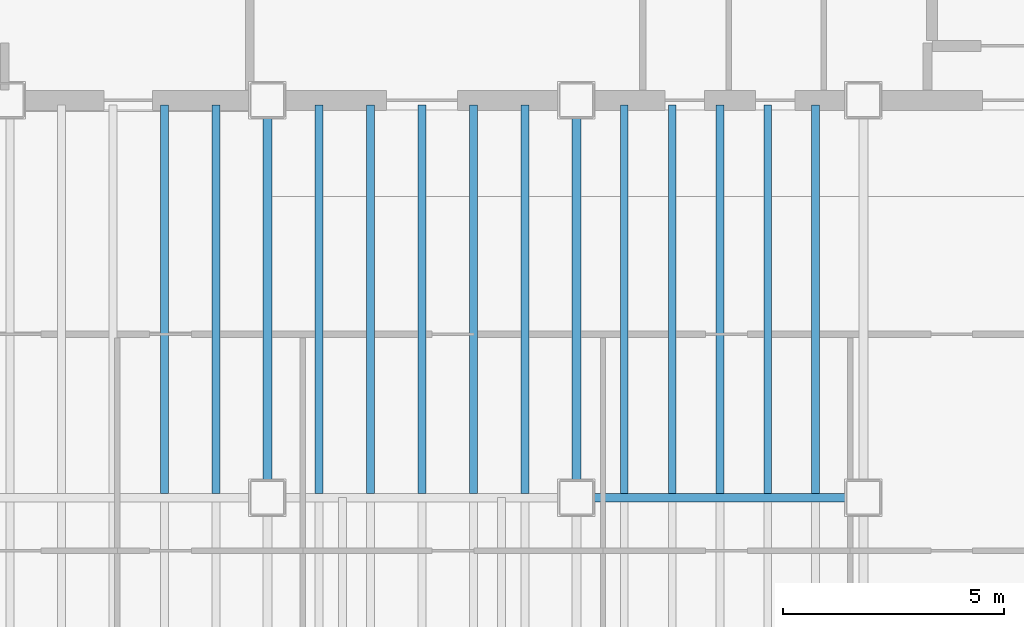
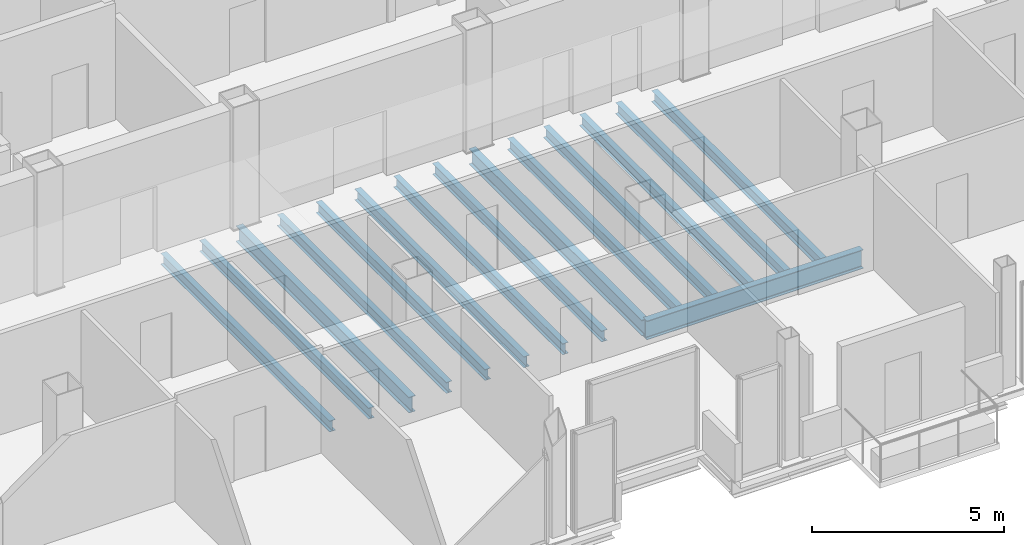
# One storey, part 7 of 17: 15 beams.
"""IFC4 building model written with IfcOpenShell, lengths in metres."""

from ifc_helpers import new_model, si_unit, direction, frame, origin, origin_2d, place, context, subcontext, project, spatial, i_section, extrude, material, material_profile, profile_set, type_object, element, save


model = new_model("IFC4")

# Units and contexts
model_context = context("Model", 3, precision=1e-05, world=origin(), true_north=direction((0.0, 1.0)))
body_context = subcontext(model_context, "Body", "Model", "MODEL_VIEW")
ifc_project = project(units=[si_unit("LENGTHUNIT", "METRE"), si_unit("AREAUNIT", "SQUARE_METRE"), si_unit("VOLUMEUNIT", "CUBIC_METRE"), si_unit("PLANEANGLEUNIT", "RADIAN"), si_unit("MASSUNIT", "GRAM", prefix="KILO")], contexts=[model_context])

# Site, building, storey
site_placement = place(None, origin())
site = spatial("IfcSite", under=ifc_project, at=site_placement, CompositionType="ELEMENT")
building_placement = place(site_placement, origin())
building = spatial("IfcBuilding", under=site, at=building_placement, Name="Noeulbin Bourse Tower", CompositionType="ELEMENT")
storey_placement = place(building_placement, frame((0.0, 0.0, 246.199951171875)))
storey = spatial("IfcBuildingStorey", under=building, at=storey_placement, Name="L61", CompositionType="ELEMENT", Elevation=246.199951171875)

# Beams
ifc_material = material(Name="Steel S355", Category="steel")
ifc_material_profile_1 = material_profile(ifc_material, i_section(OverallWidth=0.199951171875, OverallDepth=0.5, WebThickness=0.010009765625, FlangeThickness=0.01611328125, FilletRadius=0.02001953125, at=origin_2d()), Name="H-500x200x10x16", Category="LoadBearing")
ifc_profile_set_1 = profile_set([ifc_material_profile_1], Name="Steel S355")
beam_type_1 = type_object("IfcBeamType", Name="BM-GRD-500", PredefinedType="USERDEFINED", material=ifc_profile_set_1)
for number, where, z_axis, x_axis, name in (
    (1, (24.0, 20.0, -0.429931640625), (0.0, 1.0, 0.0), (-1.0, 0.0, 0.0), "Tower Primary Girder NS L61-2.2"),
    (2, (31.0, 20.0, -0.429931640625), (0.0, 1.0, 0.0), (-1.0, 0.0, 0.0), "Tower Primary Girder NS L61-3.2"),
):
    element("IfcBeam", number, at=place(storey_placement, frame(where, z_axis=z_axis, x_axis=x_axis)), inside=storey, type_object=beam_type_1, Name=name, ObjectType="GIRDER", PredefinedType="USERDEFINED", context=body_context, shape_type="SweptSolid", body=[
        extrude(i_section(OverallWidth=0.199951171875, OverallDepth=0.5, WebThickness=0.010009765625, FlangeThickness=0.01611328125, FilletRadius=0.02001953125, at=origin_2d()), origin(), (0.0, 0.0, 1.0), 9.0),
    ])
ifc_material_profile_2 = material_profile(ifc_material, i_section(OverallWidth=0.199951171875, OverallDepth=0.60009765625, WebThickness=0.010986328125, FlangeThickness=0.01708984375, FilletRadius=0.02197265625, at=origin_2d()), Name="H-600x200x11x17", Category="LoadBearing")
ifc_profile_set_2 = profile_set([ifc_material_profile_2], Name="Steel S355")
beam_type_2 = type_object("IfcBeamType", Name="BM-GRD-600", PredefinedType="USERDEFINED", material=ifc_profile_set_2)
beam_placement = place(storey_placement, frame((31.0, 20.0, -0.47998046875), z_axis=(1.0, 0.0, 0.0), x_axis=(0.0, 1.0, 0.0)))
element("IfcBeam", 3, at=beam_placement, inside=storey, type_object=beam_type_2, Name="Tower Primary Girder EW L61-1.4", ObjectType="GIRDER", PredefinedType="USERDEFINED", context=body_context, shape_type="SweptSolid", body=[
    extrude(i_section(OverallWidth=0.199951171875, OverallDepth=0.60009765625, WebThickness=0.010986328125, FlangeThickness=0.01708984375, FilletRadius=0.02197265625, at=origin_2d()), origin(), (0.0, 0.0, 1.0), 6.5),
])
ifc_material_profile_3 = material_profile(ifc_material, i_section(OverallWidth=0.175048828125, OverallDepth=0.35009765625, WebThickness=0.007080078125, FlangeThickness=0.010986328125, FilletRadius=0.013916015625, at=origin_2d()), Name="H-350x175x7x11", Category="LoadBearing")
ifc_profile_set_3 = profile_set([ifc_material_profile_3], Name="Steel S355")
beam_type_3 = type_object("IfcBeamType", Name="BM-JST-350", PredefinedType="JOIST", material=ifc_profile_set_3)
for number, where, z_axis, x_axis, name in (
    (4, (21.666748046875, 20.10009765625, -0.35498046875), (0.0, 1.0, 0.0), (-1.0, 0.0, 0.0), "Tower Composite Joist L61-14"),
    (5, (22.833251953125, 20.10009765625, -0.35498046875), (0.0, 1.0, 0.0), (-1.0, 0.0, 0.0), "Tower Composite Joist L61-16"),
    (6, (25.166748046875, 20.10009765625, -0.35498046875), (0.0, 1.0, 0.0), (-1.0, 0.0, 0.0), "Tower Composite Joist L61-18"),
    (7, (26.333251953125, 20.10009765625, -0.35498046875), (0.0, 1.0, 0.0), (-1.0, 0.0, 0.0), "Tower Composite Joist L61-20"),
    (8, (27.5, 20.10009765625, -0.35498046875), (0.0, 1.0, 0.0), (-1.0, 0.0, 0.0), "Tower Composite Joist L61-22"),
    (9, (28.666748046875, 20.10009765625, -0.35498046875), (0.0, 1.0, 0.0), (-1.0, 0.0, 0.0), "Tower Composite Joist L61-24"),
    (10, (29.833251953125, 20.10009765625, -0.35498046875), (0.0, 1.0, 0.0), (-1.0, 0.0, 0.0), "Tower Composite Joist L61-26"),
    (11, (32.083251953125, 20.10009765625, -0.35498046875), (0.0, 1.0, 0.0), (-1.0, 0.0, 0.0), "Tower Composite Joist L61-28"),
    (12, (33.166748046875, 20.10009765625, -0.35498046875), (0.0, 1.0, 0.0), (-1.0, 0.0, 0.0), "Tower Composite Joist L61-30"),
    (13, (34.25, 20.10009765625, -0.35498046875), (0.0, 1.0, 0.0), (-1.0, 0.0, 0.0), "Tower Composite Joist L61-32"),
    (14, (35.333251953125, 20.10009765625, -0.35498046875), (0.0, 1.0, 0.0), (-1.0, 0.0, 0.0), "Tower Composite Joist L61-34"),
    (15, (36.416748046875, 20.10009765625, -0.35498046875), (0.0, 1.0, 0.0), (-1.0, 0.0, 0.0), "Tower Composite Joist L61-36"),
):
    element("IfcBeam", number, at=place(storey_placement, frame(where, z_axis=z_axis, x_axis=x_axis)), inside=storey, type_object=beam_type_3, Name=name, PredefinedType="JOIST", context=body_context, shape_type="SweptSolid", body=[
        extrude(i_section(OverallWidth=0.175048828125, OverallDepth=0.35009765625, WebThickness=0.007080078125, FlangeThickness=0.010986328125, FilletRadius=0.013916015625, at=origin_2d()), origin(), (0.0, 0.0, 1.0), 8.7998046875),
    ])

save(model, "model.ifc")
